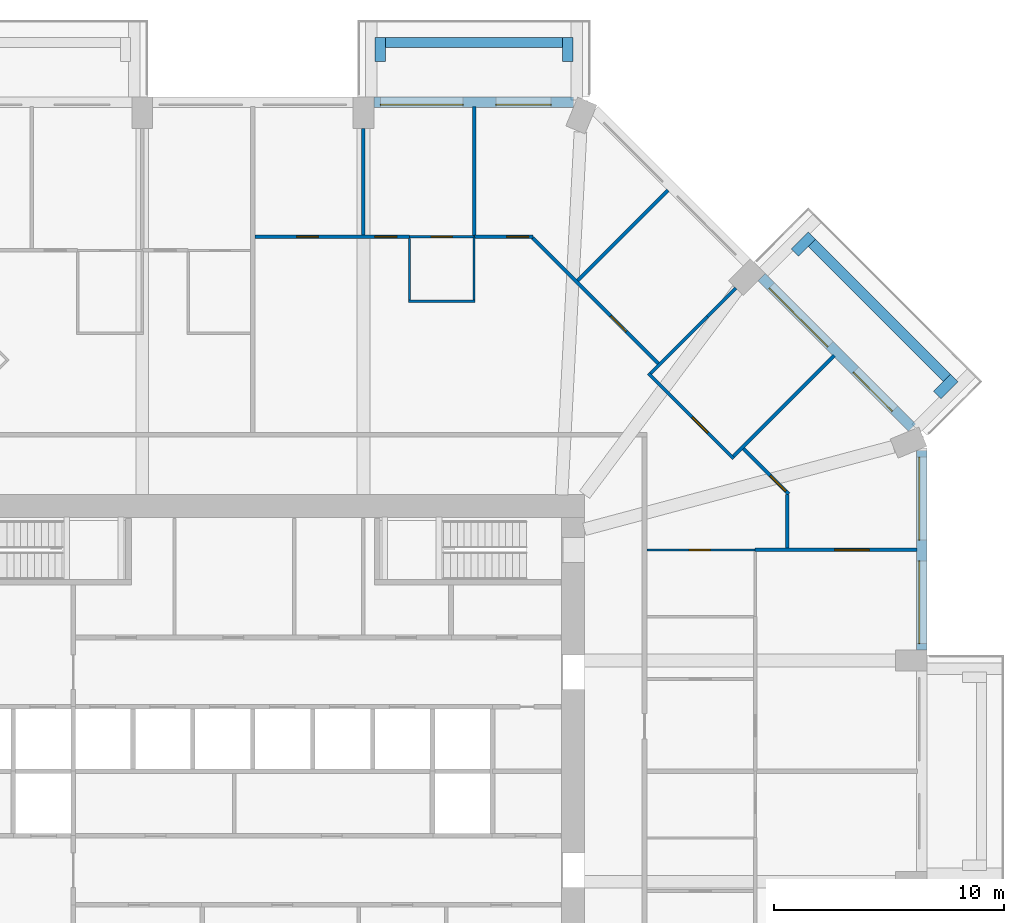
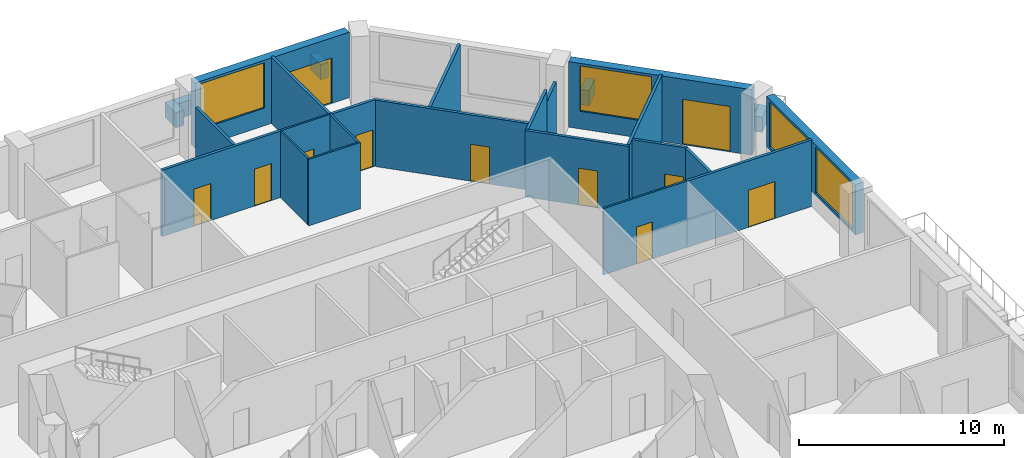
# One storey, part 10 of 13: 27 walls, 11 doors, 4 windows, 15 openings.
"""IFC4 building model written with IfcOpenShell, lengths in metres."""

from ifc_helpers import new_model, si_unit, direction, frame, frame_2d, origin, place, context, subcontext, project, spatial, rectangle, extrude, material, layer, layer_set, type_object, element, fill, save


model = new_model("IFC4")

# Units and contexts
model_context = context("Model", 3, precision=1e-05, world=origin(), true_north=direction((0.0, 1.0)))
body_context = subcontext(model_context, "Body", "Model", "MODEL_VIEW")
ifc_project = project(units=[si_unit("LENGTHUNIT", "METRE"), si_unit("AREAUNIT", "SQUARE_METRE"), si_unit("VOLUMEUNIT", "CUBIC_METRE"), si_unit("PLANEANGLEUNIT", "RADIAN"), si_unit("MASSUNIT", "GRAM", prefix="KILO")], contexts=[model_context])

# Site, building, storey
site_placement = place(None, origin())
site = spatial("IfcSite", under=ifc_project, at=site_placement, CompositionType="ELEMENT")
building_placement = place(site_placement, origin())
building = spatial("IfcBuilding", under=site, at=building_placement, Name="Msitu Wima Residences", CompositionType="ELEMENT")
storey_placement = place(building_placement, frame((0.0, 0.0, 42.300048828125)))
storey = spatial("IfcBuildingStorey", under=building, at=storey_placement, Name="L09", CompositionType="ELEMENT", Elevation=42.300048828125)

# Walls
ifc_material_1 = material(Name="Facing brick")
ifc_layer_1 = layer(ifc_material_1, 0.06494140625, Name="Facing brick")
ifc_material_2 = material(Name="Concrete C40/50", Category="concrete")
ifc_layer_2 = layer(ifc_material_2, 0.156005859375, Name="Concrete C40/50")
ifc_material_3 = material(Name="Waterproofing membrane")
ifc_layer_3 = layer(ifc_material_3, 0.00390625, Name="Waterproofing membrane")
ifc_material_4 = material(Name="Planting soil and planting")
ifc_layer_4 = layer(ifc_material_4, 0.22509765625, Name="Planting soil and planting")
ifc_layer_set_1 = layer_set([ifc_layer_1, ifc_layer_2, ifc_layer_3, ifc_layer_4], Name="Concrete C40/50")
wall_type_1 = type_object("IfcWallType", Name="Balcony planter PLANTER PL450", PredefinedType="USERDEFINED", material=ifc_layer_set_1)
wall_1_placement = place(storey_placement, frame((30.125732421875, 17.0693359375, 0.0), z_axis=(0.0, 0.0, 1.0), x_axis=(-0.707106781187, 0.707106781187, 0.0)))
element("IfcWall", 1, at=wall_1_placement, inside=storey, type_object=wall_type_1, Name="Balcony planter NE0 L09", ObjectType="PLANTER", PredefinedType="USERDEFINED", context=body_context, shape_type="SweptSolid", body=[
    extrude(rectangle(XDim=8.2822265625, YDim=0.449951171875, at=frame_2d((4.14111328125, 0.0))), origin(), (0.0, 0.0, 1.0), 0.89990234375),
])
for number, where, z_axis, x_axis, name in (
    (2, (29.70166015625, 16.326904296875, 0.0), (0.0, 0.0, 1.0), (0.707106781187, 0.707106781187, 0.0), "Balcony planter NE0 L09"),
    (3, (23.52685546875, 22.50146484375, 0.0), (0.0, 0.0, 1.0), (0.706990528533, 0.707223014731, 0.0), "Balcony planter NE0 L09"),
):
    element("IfcWall", number, at=place(storey_placement, frame(where, z_axis=z_axis, x_axis=x_axis)), inside=storey, type_object=wall_type_1, Name=name, ObjectType="PLANTER", PredefinedType="USERDEFINED", context=body_context, shape_type="SweptSolid", body=[
        extrude(rectangle(XDim=1.050048828125, YDim=0.449951171875, at=frame_2d((0.52490234375, 0.0))), origin(), (0.0, 0.0, 1.0), 0.89990234375),
    ])
wall_2_placement = place(storey_placement, frame((13.449951171875, 31.625, 0.0), z_axis=(0.0, 0.0, 1.0), x_axis=(-1.0, 0.0, 0.0)))
element("IfcWall", 4, at=wall_2_placement, inside=storey, type_object=wall_type_1, Name="Balcony planter N0 L09", ObjectType="PLANTER", PredefinedType="USERDEFINED", context=body_context, shape_type="SweptSolid", body=[
    extrude(rectangle(XDim=7.699951171875, YDim=0.449951171875, at=frame_2d((3.85009765625, 0.0))), origin(), (0.0, 0.0, 1.0), 0.89990234375),
])
for number, where, z_axis, x_axis, name in (
    (5, (13.675048828125, 30.800048828125, 0.0), (0.0, 0.0, 1.0), (0.0, 1.0, 0.0), "Balcony planter N0 L09"),
    (6, (5.52490234375, 30.800048828125, 0.0), (0.0, 0.0, 1.0), (0.0, 1.0, 0.0), "Balcony planter N0 L09"),
):
    element("IfcWall", number, at=place(storey_placement, frame(where, z_axis=z_axis, x_axis=x_axis)), inside=storey, type_object=wall_type_1, Name=name, ObjectType="PLANTER", PredefinedType="USERDEFINED", context=body_context, shape_type="SweptSolid", body=[
        extrude(rectangle(XDim=1.050048828125, YDim=0.449951171875, at=frame_2d((0.52490234375, 0.0))), origin(), (0.0, 0.0, 1.0), 0.89990234375),
    ])

# Wall, openings, windows
ifc_material_5 = material(Name="Brick (red buff mix)", Category="masonry")
ifc_layer_5 = layer(ifc_material_5, 0.449951171875)
ifc_layer_set_2 = layer_set([ifc_layer_5], Name="Brick (red buff mix)")
wall_type_2 = type_object("IfcWallType", Name="Brick infill wall BW450", PredefinedType="SOLIDWALL", material=ifc_layer_set_2)
wall_3_placement = place(storey_placement, frame((29.02490234375, 5.25, 0.89990234375), z_axis=(0.0, 0.0, 1.0), x_axis=(0.0, 1.0, 0.0)))
wall_3 = element("IfcWall", 7, at=wall_3_placement, inside=storey, type_object=wall_type_2, Name="Brick infill wall L09 E2", PredefinedType="SOLIDWALL", context=body_context, shape_type="SweptSolid", body=[
    extrude(rectangle(XDim=8.662841796875, YDim=0.449951171875, at=frame_2d((4.33154296875, 0.0))), origin(), (0.0, 0.0, 1.0), 3.0),
])
opening_1_placement = place(wall_3_placement, frame((0.281494140625, 0.0, 0.14990234375)))
opening_1 = element("IfcOpeningElement", 8, at=opening_1_placement, cuts=wall_3, Name="Opening W08-10.004", PredefinedType="OPENING", context=body_context, shape_type="SweptSolid", body=[
    extrude(rectangle(XDim=3.60009765625, YDim=2.699951171875, at=frame_2d((1.800048828125, 1.35009765625))), frame((0.0, 0.23486328125, 0.0), z_axis=(0.0, -1.0, 0.0), x_axis=(1.0, 0.0, 0.0)), (0.0, 0.0, 1.0), 0.469970703125),
])
opening_2_placement = place(wall_3_placement, frame((4.781494140625, 0.0, 0.14990234375)))
opening_2 = element("IfcOpeningElement", 9, at=opening_2_placement, cuts=wall_3, Name="Opening W08-10.005", PredefinedType="OPENING", context=body_context, shape_type="SweptSolid", body=[
    extrude(rectangle(XDim=3.60009765625, YDim=2.699951171875, at=frame_2d((1.800048828125, 1.35009765625))), frame((0.0, 0.23486328125, 0.0), z_axis=(0.0, -1.0, 0.0), x_axis=(1.0, 0.0, 0.0)), (0.0, 0.0, 1.0), 0.469970703125),
])
ifc_material_6 = material(Name="Anodised aluminium, bronze finish, clear low-emissivity double glazing", Category="aluminium")
window_type = type_object("IfcWindowType", Name="Window W3600x2700", PartitioningType="DOUBLE_PANEL_VERTICAL", PredefinedType="WINDOW", material=ifc_material_6)
window_1_placement = place(opening_1_placement, origin())
window_1 = element("IfcWindow", 10, at=window_1_placement, inside=storey, type_object=window_type, Name="Window L09 E2.1", OverallHeight=2.699951171875, OverallWidth=3.60009765625, PartitioningType="SINGLE_PANEL", PredefinedType="WINDOW", context=body_context, shape_type="SweptSolid", body=[
    extrude(rectangle(XDim=3.60009765625, YDim=2.699951171875, at=frame_2d((1.800048828125, 1.35009765625))), frame((0.0, 0.135009765625, 0.0), z_axis=(0.0, -1.0, 0.0), x_axis=(1.0, 0.0, 0.0)), (0.0, 0.0, 1.0), 0.06005859375),
])
fill(opening_1, window_1)
window_2_placement = place(opening_2_placement, origin())
window_2 = element("IfcWindow", 11, at=window_2_placement, inside=storey, type_object=window_type, Name="Window L09 E2.2", OverallHeight=2.699951171875, OverallWidth=3.60009765625, PartitioningType="SINGLE_PANEL", PredefinedType="WINDOW", context=body_context, shape_type="SweptSolid", body=[
    extrude(rectangle(XDim=3.60009765625, YDim=2.699951171875, at=frame_2d((1.800048828125, 1.35009765625))), frame((0.0, 0.135009765625, 0.0), z_axis=(0.0, -1.0, 0.0), x_axis=(1.0, 0.0, 0.0)), (0.0, 0.0, 1.0), 0.06005859375),
])
fill(opening_2, window_2)

# Wall, openings, door, window
wall_4_placement = place(storey_placement, frame((28.61474609375, 14.903564453125, 0.0), z_axis=(0.0, 0.0, 1.0), x_axis=(-0.707106781187, 0.707106781187, 0.0)))
wall_4 = element("IfcWall", 12, at=wall_4_placement, inside=storey, type_object=wall_type_2, Name="Brick infill wall L09 NE0", PredefinedType="SOLIDWALL", context=body_context, shape_type="SweptSolid", body=[
    extrude(rectangle(XDim=9.2451171875, YDim=0.449951171875, at=frame_2d((4.62255859375, 0.0))), origin(), (0.0, 0.0, 1.0), 3.89990234375),
])
opening_3_placement = place(wall_4_placement, frame((1.111328125, 0.0, 0.0)))
opening_3 = element("IfcOpeningElement", 13, at=opening_3_placement, cuts=wall_4, Name="Opening D08-10.004", PredefinedType="OPENING", context=body_context, shape_type="SweptSolid", body=[
    extrude(rectangle(XDim=2.39990234375, YDim=2.699951171875, at=frame_2d((1.199951171875, 1.35009765625))), frame((0.0, 0.23486328125, 0.0), z_axis=(0.0, -1.0, 0.0), x_axis=(1.0, 0.0, 0.0)), (0.0, 0.0, 1.0), 0.469970703125),
])
opening_4_placement = place(wall_4_placement, frame((5.072509765625, 0.0, 1.050048828125)))
opening_4 = element("IfcOpeningElement", 14, at=opening_4_placement, cuts=wall_4, Name="Opening W08-10.010", PredefinedType="OPENING", context=body_context, shape_type="SweptSolid", body=[
    extrude(rectangle(XDim=3.60009765625, YDim=2.699951171875, at=frame_2d((1.800048828125, 1.35009765625))), frame((0.0, 0.23486328125, 0.0), z_axis=(0.0, -1.0, 0.0), x_axis=(1.0, 0.0, 0.0)), (0.0, 0.0, 1.0), 0.469970703125),
])
door_type_1 = type_object("IfcDoorType", Name="Balcony door D2400x2700", OperationType="SLIDING_TO_LEFT", PredefinedType="DOOR", material=ifc_material_6)
door_1_placement = place(opening_3_placement, origin())
door_1 = element("IfcDoor", 15, at=door_1_placement, inside=storey, type_object=door_type_1, Name="Balcony door L09 NE0", OperationType="SINGLE_SWING_LEFT", OverallHeight=2.699951171875, OverallWidth=2.39990234375, PredefinedType="DOOR", context=body_context, shape_type="SweptSolid", body=[
    extrude(rectangle(XDim=2.39990234375, YDim=2.699951171875, at=frame_2d((1.199951171875, 1.35009765625))), frame((0.0, 0.1298828125, 0.0), z_axis=(0.0, -1.0, 0.0), x_axis=(1.0, 0.0, 0.0)), (0.0, 0.0, 1.0), 0.050048828125),
])
fill(opening_3, door_1)
window_3_placement = place(opening_4_placement, origin())
window_3 = element("IfcWindow", 16, at=window_3_placement, inside=storey, type_object=window_type, Name="Window L09 NE0.2", OverallHeight=2.699951171875, OverallWidth=3.60009765625, PartitioningType="SINGLE_PANEL", PredefinedType="WINDOW", context=body_context, shape_type="SweptSolid", body=[
    extrude(rectangle(XDim=3.60009765625, YDim=2.699951171875, at=frame_2d((1.800048828125, 1.35009765625))), frame((0.0, 0.135009765625, 0.0), z_axis=(0.0, -1.0, 0.0), x_axis=(1.0, 0.0, 0.0)), (0.0, 0.0, 1.0), 0.06005859375),
])
fill(opening_4, window_3)

wall_5_placement = place(storey_placement, frame((13.912841796875, 29.02490234375, 0.0), z_axis=(0.0, 0.0, 1.0), x_axis=(-1.0, 0.0, 0.0)))
wall_5 = element("IfcWall", 17, at=wall_5_placement, inside=storey, type_object=wall_type_2, Name="Brick infill wall L09 N0", PredefinedType="SOLIDWALL", context=body_context, shape_type="SweptSolid", body=[
    extrude(rectangle(XDim=8.662841796875, YDim=0.449951171875, at=frame_2d((4.33154296875, 0.0))), origin(), (0.0, 0.0, 1.0), 3.89990234375),
])
opening_5_placement = place(wall_5_placement, frame((0.9658203125, 0.0, 0.0)))
opening_5 = element("IfcOpeningElement", 18, at=opening_5_placement, cuts=wall_5, Name="Opening D08-10.002", PredefinedType="OPENING", context=body_context, shape_type="SweptSolid", body=[
    extrude(rectangle(XDim=2.39990234375, YDim=2.699951171875, at=frame_2d((1.199951171875, 1.35009765625))), frame((0.0, 0.23486328125, 0.0), z_axis=(0.0, -1.0, 0.0), x_axis=(1.0, 0.0, 0.0)), (0.0, 0.0, 1.0), 0.469970703125),
])
opening_6_placement = place(wall_5_placement, frame((4.781494140625, 0.0, 1.050048828125)))
opening_6 = element("IfcOpeningElement", 19, at=opening_6_placement, cuts=wall_5, Name="Opening W08-10.006", PredefinedType="OPENING", context=body_context, shape_type="SweptSolid", body=[
    extrude(rectangle(XDim=3.60009765625, YDim=2.699951171875, at=frame_2d((1.800048828125, 1.35009765625))), frame((0.0, 0.23486328125, 0.0), z_axis=(0.0, -1.0, 0.0), x_axis=(1.0, 0.0, 0.0)), (0.0, 0.0, 1.0), 0.469970703125),
])
door_2_placement = place(opening_5_placement, origin())
door_2 = element("IfcDoor", 20, at=door_2_placement, inside=storey, type_object=door_type_1, Name="Balcony door L09 N0", OperationType="SINGLE_SWING_LEFT", OverallHeight=2.699951171875, OverallWidth=2.39990234375, PredefinedType="DOOR", context=body_context, shape_type="SweptSolid", body=[
    extrude(rectangle(XDim=2.39990234375, YDim=2.699951171875, at=frame_2d((1.199951171875, 1.35009765625))), frame((0.0, 0.1298828125, 0.0), z_axis=(0.0, -1.0, 0.0), x_axis=(1.0, 0.0, 0.0)), (0.0, 0.0, 1.0), 0.050048828125),
])
fill(opening_5, door_2)
window_4_placement = place(opening_6_placement, origin())
window_4 = element("IfcWindow", 21, at=window_4_placement, inside=storey, type_object=window_type, Name="Window L09 N0.2", OverallHeight=2.699951171875, OverallWidth=3.60009765625, PartitioningType="SINGLE_PANEL", PredefinedType="WINDOW", context=body_context, shape_type="SweptSolid", body=[
    extrude(rectangle(XDim=3.60009765625, YDim=2.699951171875, at=frame_2d((1.800048828125, 1.35009765625))), frame((0.0, 0.135009765625, 0.0), z_axis=(0.0, -1.0, 0.0), x_axis=(1.0, 0.0, 0.0)), (0.0, 0.0, 1.0), 0.06005859375),
])
fill(opening_6, window_4)

# Wall, openings, doors
ifc_material_7 = material(Name="Plaster")
ifc_layer_6 = layer(ifc_material_7, 0.011962890625, Name="Plaster")
ifc_material_8 = material(Name="Concrete blockwork", Category="masonry")
ifc_layer_7 = layer(ifc_material_8, 0.1259765625, Name="Concrete blockwork")
ifc_layer_8 = layer(ifc_material_7, 0.011962890625, Name="Plaster")
ifc_layer_set_3 = layer_set([ifc_layer_6, ifc_layer_7, ifc_layer_8], Name="Concrete blockwork")
wall_type_3 = type_object("IfcWallType", Name="Partition PW150", PredefinedType="PARTITIONING", material=ifc_layer_set_3)
wall_6_placement = place(storey_placement, frame((0.10009765625, 23.199951171875, 0.0), z_axis=(0.0, 0.0, 1.0), x_axis=(1.0, 0.0, 0.0)))
wall_6 = element("IfcWall", 22, at=wall_6_placement, inside=storey, type_object=wall_type_3, Name="Partition", PredefinedType="PARTITIONING", context=body_context, shape_type="SweptSolid", body=[
    extrude(rectangle(XDim=6.699951171875, YDim=0.14990234375, at=frame_2d((3.35009765625, 0.0))), origin(), (0.0, 0.0, 1.0), 3.949951171875),
])
opening_7_placement = place(wall_6_placement, frame((1.800048828125, 0.0, 0.0)))
opening_7 = element("IfcOpeningElement", 23, at=opening_7_placement, cuts=wall_6, Name="Opening D08-10.086", PredefinedType="OPENING", context=body_context, shape_type="SweptSolid", body=[
    extrude(rectangle(XDim=0.949951171875, YDim=2.199951171875, at=frame_2d((0.47509765625, 1.10009765625))), frame((0.0, 0.0849609375, 0.0), z_axis=(0.0, -1.0, 0.0), x_axis=(1.0, 0.0, 0.0)), (0.0, 0.0, 1.0), 0.169921875),
])
opening_8_placement = place(wall_6_placement, frame((5.199951171875, 0.0, 0.0)))
opening_8 = element("IfcOpeningElement", 24, at=opening_8_placement, cuts=wall_6, Name="Opening D08-10.087", PredefinedType="OPENING", context=body_context, shape_type="SweptSolid", body=[
    extrude(rectangle(XDim=0.949951171875, YDim=2.199951171875, at=frame_2d((0.47509765625, 1.10009765625))), frame((0.0, 0.0849609375, 0.0), z_axis=(0.0, -1.0, 0.0), x_axis=(1.0, 0.0, 0.0)), (0.0, 0.0, 1.0), 0.169921875),
])
ifc_material_9 = material(Name="Timber flush door", Category="wood")
door_type_2 = type_object("IfcDoorType", Name="Room door D12 950x2200", OperationType="SINGLE_SWING_LEFT", PredefinedType="DOOR", material=ifc_material_9)
door_3_placement = place(opening_7_placement, origin())
door_3 = element("IfcDoor", 25, at=door_3_placement, inside=storey, type_object=door_type_2, Name="Room door", OperationType="SINGLE_SWING_LEFT", OverallHeight=2.199951171875, OverallWidth=0.949951171875, PredefinedType="DOOR", context=body_context, shape_type="SweptSolid", body=[
    extrude(rectangle(XDim=0.949951171875, YDim=2.199951171875, at=frame_2d((0.47509765625, 1.10009765625))), frame((0.0, 0.02490234375, 0.0), z_axis=(0.0, -1.0, 0.0), x_axis=(1.0, 0.0, 0.0)), (0.0, 0.0, 1.0), 0.050048828125),
])
fill(opening_7, door_3)
door_4_placement = place(opening_8_placement, origin())
door_4 = element("IfcDoor", 26, at=door_4_placement, inside=storey, type_object=door_type_2, Name="Room door", OperationType="SINGLE_SWING_LEFT", OverallHeight=2.199951171875, OverallWidth=0.949951171875, PredefinedType="DOOR", context=body_context, shape_type="SweptSolid", body=[
    extrude(rectangle(XDim=0.949951171875, YDim=2.199951171875, at=frame_2d((0.47509765625, 1.10009765625))), frame((0.0, 0.02490234375, 0.0), z_axis=(0.0, -1.0, 0.0), x_axis=(1.0, 0.0, 0.0)), (0.0, 0.0, 1.0), 0.050048828125),
])
fill(opening_8, door_4)

# Walls
wall_7_placement = place(storey_placement, frame((4.800048828125, 23.27490234375, 0.0), z_axis=(0.0, 0.0, 1.0), x_axis=(0.0, 1.0, 0.0)))
element("IfcWall", 27, at=wall_7_placement, inside=storey, type_object=wall_type_3, Name="Partition", PredefinedType="PARTITIONING", context=body_context, shape_type="SweptSolid", body=[
    extrude(rectangle(XDim=4.625, YDim=0.14990234375, at=frame_2d((2.3125, 0.0))), origin(), (0.0, 0.0, 1.0), 3.199951171875),
])
wall_8_placement = place(storey_placement, frame((9.60009765625, 23.179931640625, 0.0), z_axis=(0.0, 0.0, 1.0), x_axis=(0.0, 1.0, 0.0)))
element("IfcWall", 28, at=wall_8_placement, inside=storey, type_object=wall_type_3, Name="Partition", PredefinedType="PARTITIONING", context=body_context, shape_type="SweptSolid", body=[
    extrude(rectangle(XDim=5.675048828125, YDim=0.14990234375, at=frame_2d((2.83740234375, 0.0))), origin(), (0.0, 0.0, 1.0), 3.949951171875),
])

# Wall, opening, door
wall_9_placement = place(storey_placement, frame((9.6201171875, 23.199951171875, 0.0), z_axis=(0.0, 0.0, 1.0), x_axis=(1.0, 0.0, 0.0)))
wall_9 = element("IfcWall", 29, at=wall_9_placement, inside=storey, type_object=wall_type_3, Name="Partition", PredefinedType="PARTITIONING", context=body_context, shape_type="SweptSolid", body=[
    extrude(rectangle(XDim=2.535400390625, YDim=0.14990234375, at=frame_2d((1.267578125, 0.0))), origin(), (0.0, 0.0, 1.0), 3.949951171875),
])
opening_9_placement = place(wall_9_placement, frame((1.39990234375, 0.0, 0.0)))
opening_9 = element("IfcOpeningElement", 30, at=opening_9_placement, cuts=wall_9, Name="Opening D08-10.043", PredefinedType="OPENING", context=body_context, shape_type="SweptSolid", body=[
    extrude(rectangle(XDim=0.949951171875, YDim=2.199951171875, at=frame_2d((0.47509765625, 1.10009765625))), frame((0.0, 0.0849609375, 0.0), z_axis=(0.0, -1.0, 0.0), x_axis=(1.0, 0.0, 0.0)), (0.0, 0.0, 1.0), 0.169921875),
])
door_5_placement = place(opening_9_placement, origin())
door_5 = element("IfcDoor", 31, at=door_5_placement, inside=storey, type_object=door_type_2, Name="Room door", OperationType="SINGLE_SWING_LEFT", OverallHeight=2.199951171875, OverallWidth=0.949951171875, PredefinedType="DOOR", context=body_context, shape_type="SweptSolid", body=[
    extrude(rectangle(XDim=0.949951171875, YDim=2.199951171875, at=frame_2d((0.47509765625, 1.10009765625))), frame((0.0, 0.02490234375, 0.0), z_axis=(0.0, -1.0, 0.0), x_axis=(1.0, 0.0, 0.0)), (0.0, 0.0, 1.0), 0.050048828125),
])
fill(opening_9, door_5)

wall_10_placement = place(storey_placement, frame((12.133544921875, 23.14697265625, 0.0), z_axis=(0.0, 0.0, 1.0), x_axis=(0.707090953922, -0.707122608097, 0.0)))
wall_10 = element("IfcWall", 32, at=wall_10_placement, inside=storey, type_object=wall_type_3, Name="Partition", PredefinedType="PARTITIONING", context=body_context, shape_type="SweptSolid", body=[
    extrude(rectangle(XDim=7.712646484375, YDim=0.14990234375, at=frame_2d((3.8564453125, 0.0))), origin(), (0.0, 0.0, 1.0), 3.949951171875),
])
opening_10_placement = place(wall_10_placement, frame((4.800048828125, 0.0, 0.0)))
opening_10 = element("IfcOpeningElement", 33, at=opening_10_placement, cuts=wall_10, Name="Opening D08-10.085", PredefinedType="OPENING", context=body_context, shape_type="SweptSolid", body=[
    extrude(rectangle(XDim=0.949951171875, YDim=2.199951171875, at=frame_2d((0.47509765625, 1.10009765625))), frame((0.0, 0.0849609375, 0.0), z_axis=(0.0, -1.0, 0.0), x_axis=(1.0, 0.0, 0.0)), (0.0, 0.0, 1.0), 0.169921875),
])
door_6_placement = place(opening_10_placement, origin())
door_6 = element("IfcDoor", 34, at=door_6_placement, inside=storey, type_object=door_type_2, Name="Room door", OperationType="SINGLE_SWING_RIGHT", OverallHeight=2.199951171875, OverallWidth=0.949951171875, PredefinedType="DOOR", context=body_context, shape_type="SweptSolid", body=[
    extrude(rectangle(XDim=0.949951171875, YDim=2.199951171875, at=frame_2d((0.47509765625, 1.10009765625))), frame((0.0, 0.02490234375, 0.0), z_axis=(0.0, -1.0, 0.0), x_axis=(1.0, 0.0, 0.0)), (0.0, 0.0, 1.0), 0.050048828125),
])
fill(opening_10, door_6)

# Wall
wall_11_placement = place(storey_placement, frame((14.09326171875, 21.293212890625, 0.0), z_axis=(0.0, 0.0, 1.0), x_axis=(0.70708478617, 0.707128775519, 0.0)))
element("IfcWall", 35, at=wall_11_placement, inside=storey, type_object=wall_type_3, Name="Partition", PredefinedType="PARTITIONING", context=body_context, shape_type="SweptSolid", body=[
    extrude(rectangle(XDim=5.550048828125, YDim=0.14990234375, at=frame_2d((2.77490234375, 0.0))), origin(), (0.0, 0.0, 1.0), 3.949951171875),
])

# Wall, opening, door
wall_12_placement = place(storey_placement, frame((17.162841796875, 17.26904296875, 0.0), z_axis=(0.0, 0.0, 1.0), x_axis=(0.707106781187, -0.707106781187, 0.0)))
wall_12 = element("IfcWall", 36, at=wall_12_placement, inside=storey, type_object=wall_type_3, Name="Partition", PredefinedType="PARTITIONING", context=body_context, shape_type="SweptSolid", body=[
    extrude(rectangle(XDim=5.2412109375, YDim=0.14990234375, at=frame_2d((2.62060546875, 0.0))), origin(), (0.0, 0.0, 1.0), 3.949951171875),
])
opening_11_placement = place(wall_12_placement, frame((2.699951171875, 0.0, 0.0)))
opening_11 = element("IfcOpeningElement", 37, at=opening_11_placement, cuts=wall_12, Name="Opening D08-10.089", PredefinedType="OPENING", context=body_context, shape_type="SweptSolid", body=[
    extrude(rectangle(XDim=0.949951171875, YDim=2.199951171875, at=frame_2d((0.47509765625, 1.10009765625))), frame((0.0, 0.0849609375, 0.0), z_axis=(0.0, -1.0, 0.0), x_axis=(1.0, 0.0, 0.0)), (0.0, 0.0, 1.0), 0.169921875),
])
door_7_placement = place(opening_11_placement, origin())
door_7 = element("IfcDoor", 38, at=door_7_placement, inside=storey, type_object=door_type_2, Name="Room door", OperationType="SINGLE_SWING_RIGHT", OverallHeight=2.199951171875, OverallWidth=0.949951171875, PredefinedType="DOOR", context=body_context, shape_type="SweptSolid", body=[
    extrude(rectangle(XDim=0.949951171875, YDim=2.199951171875, at=frame_2d((0.47509765625, 1.10009765625))), frame((0.0, 0.02490234375, 0.0), z_axis=(0.0, -1.0, 0.0), x_axis=(1.0, 0.0, 0.0)), (0.0, 0.0, 1.0), 0.050048828125),
])
fill(opening_11, door_7)

# Walls
wall_13_placement = place(storey_placement, frame((17.26904296875, 17.26904296875, 0.0), z_axis=(0.0, 0.0, 1.0), x_axis=(0.707106781187, 0.707106781187, 0.0)))
element("IfcWall", 39, at=wall_13_placement, inside=storey, type_object=wall_type_3, Name="Partition", PredefinedType="PARTITIONING", context=body_context, shape_type="SweptSolid", body=[
    extrude(rectangle(XDim=3.4765625, YDim=0.14990234375, at=frame_2d((1.73828125, 0.0))), origin(), (0.0, 0.0, 1.0), 3.949951171875),
])
wall_14_placement = place(storey_placement, frame((19.727294921875, 19.727294921875, 0.0), z_axis=(0.0, 0.0, 1.0), x_axis=(0.707106781187, 0.707106781187, 0.0)))
element("IfcWall", 40, at=wall_14_placement, inside=storey, type_object=wall_type_3, Name="Partition", PredefinedType="PARTITIONING", context=body_context, shape_type="SweptSolid", body=[
    extrude(rectangle(XDim=1.74853515625, YDim=0.14990234375, at=frame_2d((0.874267578125, 0.0))), origin(), (0.0, 0.0, 1.0), 3.25),
])
wall_15_placement = place(storey_placement, frame((20.868896484375, 13.6689453125, 0.0), z_axis=(0.0, 0.0, 1.0), x_axis=(0.707106781187, 0.707106781187, 0.0)))
element("IfcWall", 41, at=wall_15_placement, inside=storey, type_object=wall_type_3, Name="Partition", PredefinedType="PARTITIONING", context=body_context, shape_type="SweptSolid", body=[
    extrude(rectangle(XDim=6.179931640625, YDim=0.14990234375, at=frame_2d((3.08984375, 0.0))), origin(), (0.0, 0.0, 1.0), 3.949951171875),
])

# Wall, opening, door
wall_16_placement = place(storey_placement, frame((21.293212890625, 13.987060546875, 0.0), z_axis=(0.0, 0.0, 1.0), x_axis=(0.707106781187, -0.707106781187, 0.0)))
wall_16 = element("IfcWall", 42, at=wall_16_placement, inside=storey, type_object=wall_type_3, Name="Partition", PredefinedType="PARTITIONING", context=body_context, shape_type="SweptSolid", body=[
    extrude(rectangle(XDim=2.771484375, YDim=0.14990234375, at=frame_2d((1.3857421875, 0.0))), origin(), (0.0, 0.0, 1.0), 3.949951171875),
])
opening_12_placement = place(wall_16_placement, frame((1.64990234375, 0.0, 0.0)))
opening_12 = element("IfcOpeningElement", 43, at=opening_12_placement, cuts=wall_16, Name="Opening D08-10.074", PredefinedType="OPENING", context=body_context, shape_type="SweptSolid", body=[
    extrude(rectangle(XDim=0.949951171875, YDim=2.199951171875, at=frame_2d((0.47509765625, 1.10009765625))), frame((0.0, 0.0849609375, 0.0), z_axis=(0.0, -1.0, 0.0), x_axis=(1.0, 0.0, 0.0)), (0.0, 0.0, 1.0), 0.169921875),
])
door_8_placement = place(opening_12_placement, origin())
door_8 = element("IfcDoor", 44, at=door_8_placement, inside=storey, type_object=door_type_2, Name="Room door", OperationType="SINGLE_SWING_LEFT", OverallHeight=2.199951171875, OverallWidth=0.949951171875, PredefinedType="DOOR", context=body_context, shape_type="SweptSolid", body=[
    extrude(rectangle(XDim=0.949951171875, YDim=2.199951171875, at=frame_2d((0.47509765625, 1.10009765625))), frame((0.0, 0.02490234375, 0.0), z_axis=(0.0, -1.0, 0.0), x_axis=(1.0, 0.0, 0.0)), (0.0, 0.0, 1.0), 0.050048828125),
])
fill(opening_12, door_8)

wall_17_placement = place(storey_placement, frame((21.800048828125, 9.60009765625, 0.0), z_axis=(0.0, 0.0, 1.0), x_axis=(1.0, 0.0, 0.0)))
wall_17 = element("IfcWall", 45, at=wall_17_placement, inside=storey, type_object=wall_type_3, Name="Partition", PredefinedType="PARTITIONING", context=body_context, shape_type="SweptSolid", body=[
    extrude(rectangle(XDim=7.02490234375, YDim=0.14990234375, at=frame_2d((3.512451171875, 0.0))), origin(), (0.0, 0.0, 1.0), 3.949951171875),
])
opening_13_placement = place(wall_17_placement, frame((3.449951171875, 0.0, 0.0)))
opening_13 = element("IfcOpeningElement", 46, at=opening_13_placement, cuts=wall_17, Name="Opening D08-10.052", PredefinedType="OPENING", context=body_context, shape_type="SweptSolid", body=[
    extrude(rectangle(XDim=1.5, YDim=2.199951171875, at=frame_2d((0.75, 1.10009765625))), frame((0.0, 0.0849609375, 0.0), z_axis=(0.0, -1.0, 0.0), x_axis=(1.0, 0.0, 0.0)), (0.0, 0.0, 1.0), 0.169921875),
])
ifc_material_10 = material(Name="Timber double door", Category="wood")
door_type_3 = type_object("IfcDoorType", Name="Double door D04 1500x2200", OperationType="DOUBLE_DOOR_SINGLE_SWING", PredefinedType="DOOR", material=ifc_material_10)
door_9_placement = place(opening_13_placement, origin())
door_9 = element("IfcDoor", 47, at=door_9_placement, inside=storey, type_object=door_type_3, Name="Double door", OperationType="DOUBLE_DOOR_SINGLE_SWING", OverallHeight=2.199951171875, OverallWidth=1.5, PredefinedType="DOOR", context=body_context, shape_type="SweptSolid", body=[
    extrude(rectangle(XDim=1.5, YDim=2.199951171875, at=frame_2d((0.75, 1.10009765625))), frame((0.0, 0.02490234375, 0.0), z_axis=(0.0, -1.0, 0.0), x_axis=(1.0, 0.0, 0.0)), (0.0, 0.0, 1.0), 0.050048828125),
])
fill(opening_13, door_9)

# Wall
wall_18_placement = place(storey_placement, frame((23.199951171875, 9.675048828125, 0.0), z_axis=(0.0, 0.0, 1.0), x_axis=(0.0, 1.0, 0.0)))
element("IfcWall", 48, at=wall_18_placement, inside=storey, type_object=wall_type_3, Name="Partition", PredefinedType="PARTITIONING", context=body_context, shape_type="SweptSolid", body=[
    extrude(rectangle(XDim=2.330322265625, YDim=0.14990234375, at=frame_2d((1.1650390625, 0.0))), origin(), (0.0, 0.0, 1.0), 3.949951171875),
])

# Wall, opening, door
ifc_material_11 = material(Name="Ceramic tiles")
ifc_layer_9 = layer(ifc_material_11, 0.008056640625, Name="Ceramic tiles")
ifc_material_12 = material(Name="Moisture-resistant board")
ifc_layer_10 = layer(ifc_material_12, 0.012451171875, Name="Moisture-resistant board")
ifc_material_13 = material(Name="Light-gauge stud framing with mineral wool")
ifc_layer_11 = layer(ifc_material_13, 0.06689453125, Name="Light-gauge stud framing with mineral wool")
ifc_layer_12 = layer(ifc_material_12, 0.012451171875, Name="Moisture-resistant board")
ifc_layer_set_4 = layer_set([ifc_layer_9, ifc_layer_10, ifc_layer_11, ifc_layer_12], Name="Light-gauge stud framing with mineral wool")
wall_type_4 = type_object("IfcWallType", Name="Wet wall PW100", PredefinedType="PARTITIONING", material=ifc_layer_set_4)
wall_19_placement = place(storey_placement, frame((6.800048828125, 23.199951171875, 0.0), z_axis=(0.0, 0.0, 1.0), x_axis=(1.0, 0.0, 0.0)))
wall_19 = element("IfcWall", 49, at=wall_19_placement, inside=storey, type_object=wall_type_4, Name="Wet wall", PredefinedType="PARTITIONING", context=body_context, shape_type="SweptSolid", body=[
    extrude(rectangle(XDim=2.820068359375, YDim=0.10009765625, at=frame_2d((1.41015625, 0.0))), origin(), (0.0, 0.0, 1.0), 3.949951171875),
])
opening_14_placement = place(wall_19_placement, frame((0.949951171875, 0.0, 0.0)))
opening_14 = element("IfcOpeningElement", 50, at=opening_14_placement, cuts=wall_19, Name="Opening D08-10.088", PredefinedType="OPENING", context=body_context, shape_type="SweptSolid", body=[
    extrude(rectangle(XDim=0.89990234375, YDim=2.199951171875, at=frame_2d((0.449951171875, 1.10009765625))), frame((0.0, 0.06005859375, 0.0), z_axis=(0.0, -1.0, 0.0), x_axis=(1.0, 0.0, 0.0)), (0.0, 0.0, 1.0), 0.1201171875),
])
ifc_material_14 = material(Name="Timber flush door, moisture resistant", Category="wood")
door_type_4 = type_object("IfcDoorType", Name="Bathroom door D03 900x2200", OperationType="SINGLE_SWING_LEFT", PredefinedType="DOOR", material=ifc_material_14)
door_10_placement = place(opening_14_placement, origin())
door_10 = element("IfcDoor", 51, at=door_10_placement, inside=storey, type_object=door_type_4, Name="Bathroom door", OperationType="SINGLE_SWING_RIGHT", OverallHeight=2.199951171875, OverallWidth=0.89990234375, PredefinedType="DOOR", context=body_context, shape_type="SweptSolid", body=[
    extrude(rectangle(XDim=0.89990234375, YDim=2.199951171875, at=frame_2d((0.449951171875, 1.10009765625))), frame((0.0, 0.02490234375, 0.0), z_axis=(0.0, -1.0, 0.0), x_axis=(1.0, 0.0, 0.0)), (0.0, 0.0, 1.0), 0.050048828125),
])
fill(opening_14, door_10)

# Walls
wall_20_placement = place(storey_placement, frame((6.800048828125, 20.449951171875, 0.0), z_axis=(0.0, 0.0, 1.0), x_axis=(0.0, 1.0, 0.0)))
element("IfcWall", 52, at=wall_20_placement, inside=storey, type_object=wall_type_4, Name="Wet wall", PredefinedType="PARTITIONING", context=body_context, shape_type="SweptSolid", body=[
    extrude(rectangle(XDim=2.675048828125, YDim=0.10009765625, at=frame_2d((1.33740234375, 0.0))), origin(), (0.0, 0.0, 1.0), 3.949951171875),
])
wall_21_placement = place(storey_placement, frame((6.75, 20.39990234375, 0.0), z_axis=(0.0, 0.0, 1.0), x_axis=(1.0, 0.0, 0.0)))
element("IfcWall", 53, at=wall_21_placement, inside=storey, type_object=wall_type_4, Name="Wet wall", PredefinedType="PARTITIONING", context=body_context, shape_type="SweptSolid", body=[
    extrude(rectangle(XDim=2.89990234375, YDim=0.10009765625, at=frame_2d((1.449951171875, 0.0))), origin(), (0.0, 0.0, 1.0), 3.949951171875),
])
wall_22_placement = place(storey_placement, frame((9.60009765625, 20.449951171875, 0.0), z_axis=(0.0, 0.0, 1.0), x_axis=(0.0, 1.0, 0.0)))
element("IfcWall", 54, at=wall_22_placement, inside=storey, type_object=wall_type_4, Name="Wet wall", PredefinedType="PARTITIONING", context=body_context, shape_type="SweptSolid", body=[
    extrude(rectangle(XDim=2.72998046875, YDim=0.10009765625, at=frame_2d((1.364990234375, 0.0))), origin(), (0.0, 0.0, 1.0), 3.949951171875),
])

# Wall, opening, door
wall_23_placement = place(storey_placement, frame((17.10009765625, 9.60009765625, 0.0), z_axis=(0.0, 0.0, 1.0), x_axis=(1.0, 0.0, 0.0)))
wall_23 = element("IfcWall", 55, at=wall_23_placement, inside=storey, type_object=wall_type_4, Name="Wet wall", PredefinedType="PARTITIONING", context=body_context, shape_type="SweptSolid", body=[
    extrude(rectangle(XDim=4.699951171875, YDim=0.10009765625, at=frame_2d((2.35009765625, 0.0))), origin(), (0.0, 0.0, 1.0), 3.949951171875),
])
opening_15_placement = place(wall_23_placement, frame((1.85009765625, 0.0, 0.0)))
opening_15 = element("IfcOpeningElement", 56, at=opening_15_placement, cuts=wall_23, Name="Opening D08-10.042", PredefinedType="OPENING", context=body_context, shape_type="SweptSolid", body=[
    extrude(rectangle(XDim=0.89990234375, YDim=2.199951171875, at=frame_2d((0.449951171875, 1.10009765625))), frame((0.0, 0.06005859375, 0.0), z_axis=(0.0, -1.0, 0.0), x_axis=(1.0, 0.0, 0.0)), (0.0, 0.0, 1.0), 0.1201171875),
])
door_11_placement = place(opening_15_placement, origin())
door_11 = element("IfcDoor", 57, at=door_11_placement, inside=storey, type_object=door_type_4, Name="Bathroom door", OperationType="SINGLE_SWING_RIGHT", OverallHeight=2.199951171875, OverallWidth=0.89990234375, PredefinedType="DOOR", context=body_context, shape_type="SweptSolid", body=[
    extrude(rectangle(XDim=0.89990234375, YDim=2.199951171875, at=frame_2d((0.449951171875, 1.10009765625))), frame((0.0, 0.02490234375, 0.0), z_axis=(0.0, -1.0, 0.0), x_axis=(1.0, 0.0, 0.0)), (0.0, 0.0, 1.0), 0.050048828125),
])
fill(opening_15, door_11)

save(model, "model.ifc")
